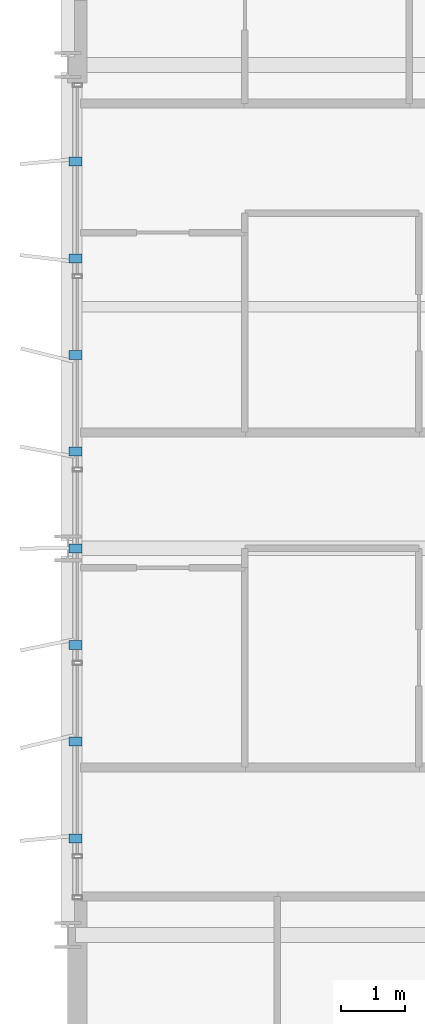
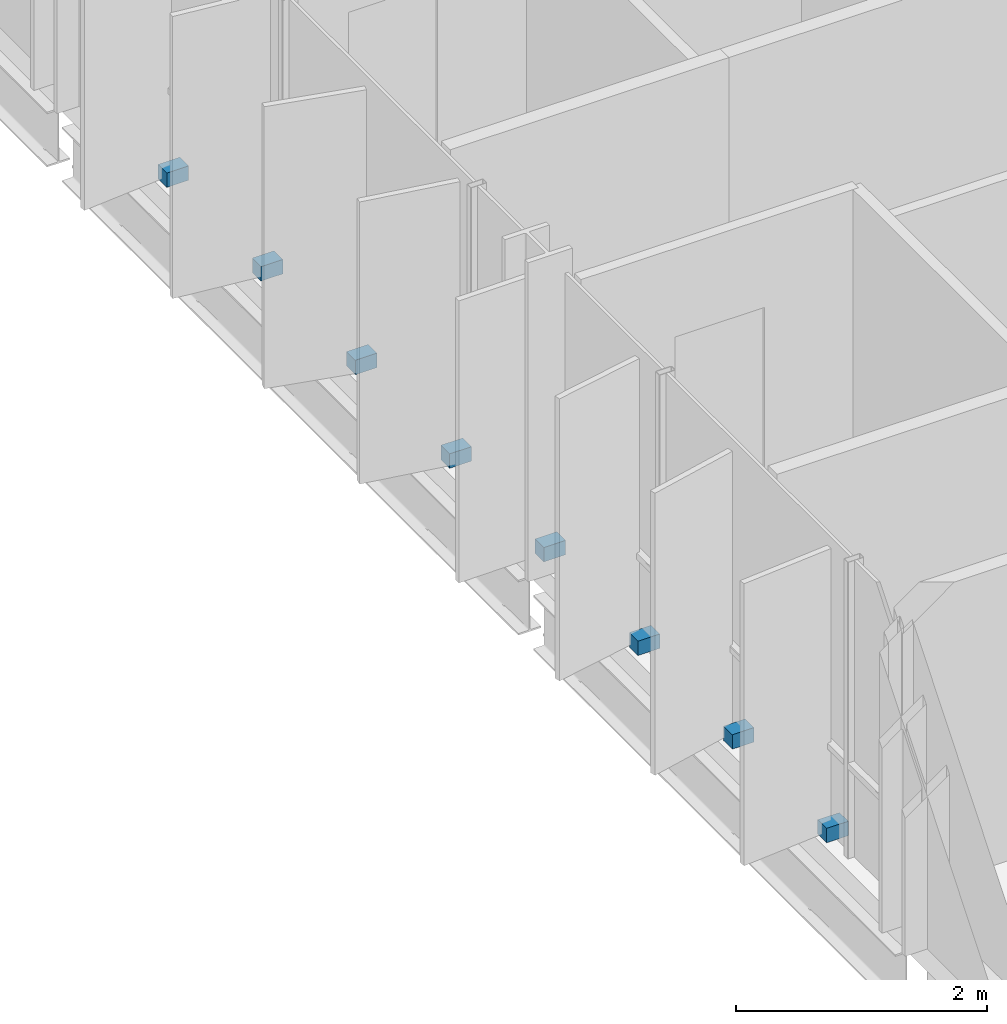
# One storey, part 35 of 39: 8 discrete accessories.
"""IFC4 building model written with IfcOpenShell, lengths in metres."""

from ifc_helpers import new_model, si_unit, direction, frame, origin, origin_2d, place, context, subcontext, project, spatial, rectangle, extrude, material, type_object, element, save


model = new_model("IFC4")

# Units and contexts
model_context = context("Model", 3, precision=1e-05, world=origin(), true_north=direction((0.0, 1.0)))
body_context = subcontext(model_context, "Body", "Model", "MODEL_VIEW")
ifc_project = project(units=[si_unit("LENGTHUNIT", "METRE"), si_unit("AREAUNIT", "SQUARE_METRE"), si_unit("VOLUMEUNIT", "CUBIC_METRE"), si_unit("PLANEANGLEUNIT", "RADIAN"), si_unit("MASSUNIT", "GRAM", prefix="KILO")], contexts=[model_context])

# Site, building, storey
site_placement = place(None, origin())
site = spatial("IfcSite", under=ifc_project, at=site_placement, CompositionType="ELEMENT")
building_placement = place(site_placement, origin())
building = spatial("IfcBuilding", under=site, at=building_placement, Name="Brevholm Reach", CompositionType="ELEMENT")
storey_placement = place(building_placement, frame((0.0, 0.0, 154.199951171875)))
storey = spatial("IfcBuildingStorey", under=building, at=storey_placement, Name="L46", CompositionType="ELEMENT", Elevation=154.199951171875)

# Discrete accessories
ifc_material = material(Name="Duplex Stainless Steel EN 1.4462", Category="steel")
discrete_accessory_type = type_object("IfcDiscreteAccessoryType", Name="ACC-BRK-01", PredefinedType="BRACKET", material=ifc_material)
for number, where, z_axis, x_axis, name in (
    (1, (0.1201171875, 11.5, 0.0302734375), (0.0, 0.0, 1.0), (-1.0, 0.0, 0.0), "L46 Solar Screen Support Bracket 1"),
    (2, (0.1201171875, 13.0, 0.0302734375), (0.0, 0.0, 1.0), (-1.0, 0.0, 0.0), "L46 Solar Screen Support Bracket 2"),
    (3, (0.1201171875, 14.5, 0.0302734375), (0.0, 0.0, 1.0), (-1.0, 0.0, 0.0), "L46 Solar Screen Support Bracket 3"),
    (4, (0.1201171875, 16.0, 0.0302734375), (0.0, 0.0, 1.0), (-1.0, 0.0, 0.0), "L46 Solar Screen Support Bracket 4"),
    (5, (0.1201171875, 17.5, 0.0302734375), (0.0, 0.0, 1.0), (-1.0, 0.0, 0.0), "L46 Solar Screen Support Bracket 5"),
    (6, (0.1201171875, 19.0, 0.0302734375), (0.0, 0.0, 1.0), (-1.0, 0.0, 0.0), "L46 Solar Screen Support Bracket 6"),
    (7, (0.1201171875, 20.5, 0.0302734375), (0.0, 0.0, 1.0), (-1.0, 0.0, 0.0), "L46 Solar Screen Support Bracket 7"),
    (8, (0.1201171875, 22.0, 0.0302734375), (0.0, 0.0, 1.0), (-1.0, 0.0, 0.0), "L46 Solar Screen Support Bracket 8"),
):
    element("IfcDiscreteAccessory", number, at=place(storey_placement, frame(where, z_axis=z_axis, x_axis=x_axis)), inside=storey, type_object=discrete_accessory_type, Name=name, PredefinedType="BRACKET", context=body_context, shape_type="SweptSolid", body=[
        extrude(rectangle(XDim=0.199951171875, YDim=0.139892578125, at=origin_2d()), origin(), (0.0, 0.0, 1.0), 0.139892578125),
    ])

save(model, "model.ifc")
